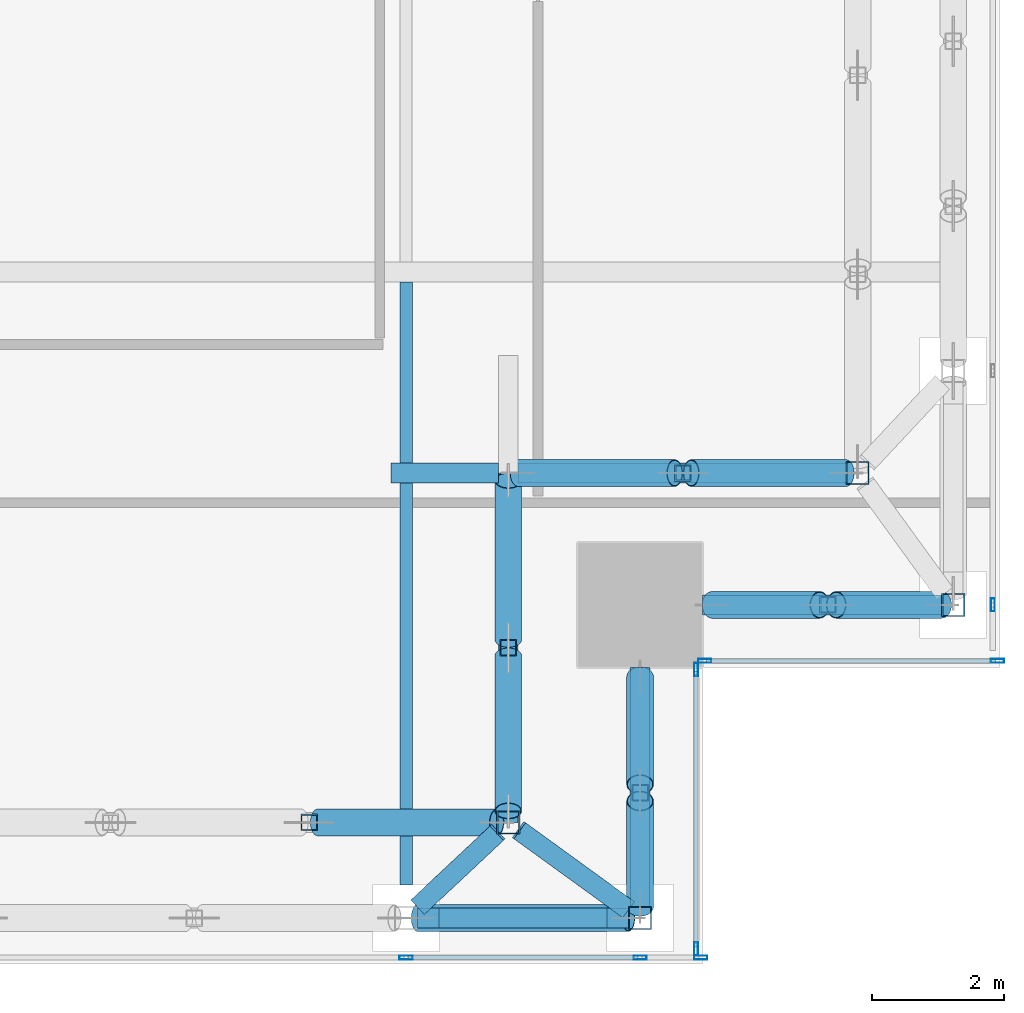
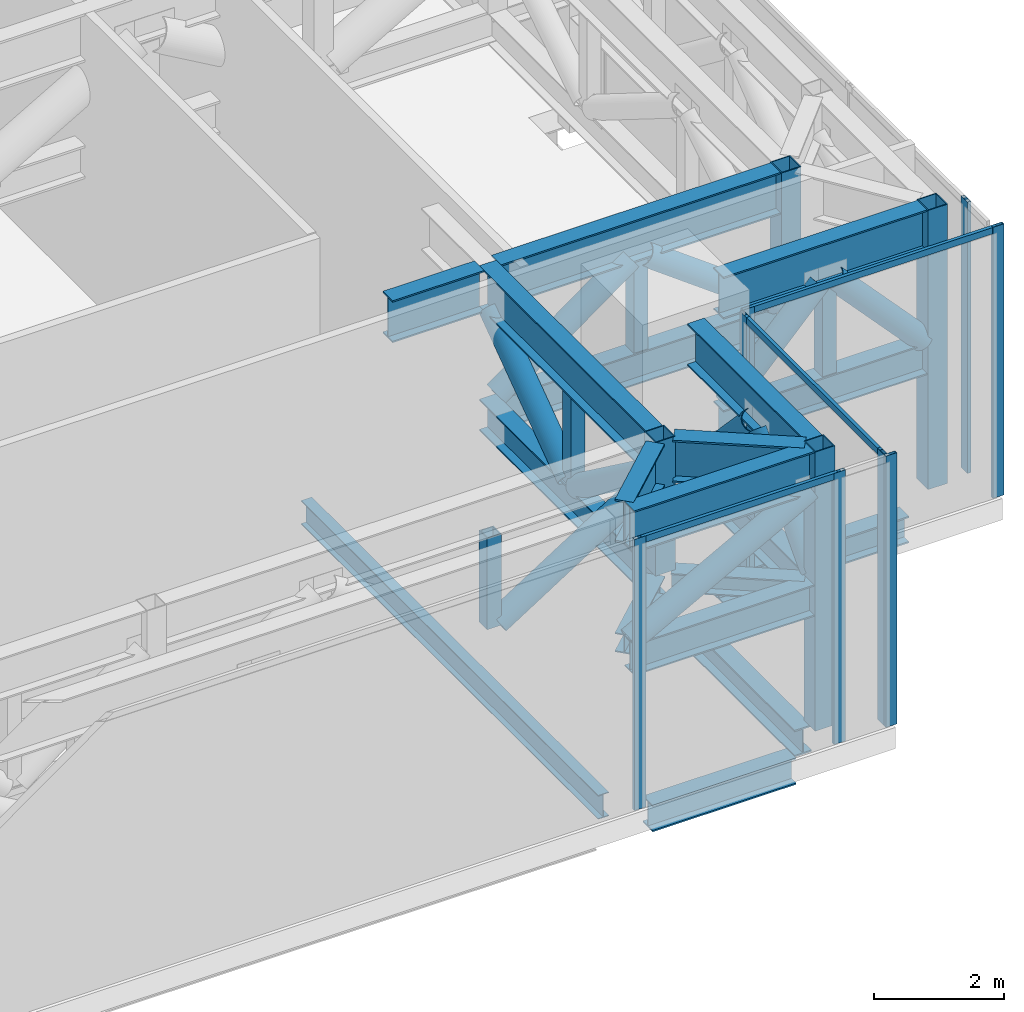
# One storey, part 10 of 36: 41 members, 8 beams, 4 elements without a shape of their own.
"""IFC4 building model written with IfcOpenShell, lengths in metres."""

from ifc_helpers import new_model, si_unit, direction, frame, origin, origin_2d, place, context, subcontext, project, spatial, hollow_rectangle, hollow_circle, i_section, extrude, source, transform, mapped, material, material_profile, profile_set, type_object, element, aggregate, save


model = new_model("IFC4")

# Units and contexts
model_context = context("Model", 3, precision=1e-05, world=origin(), true_north=direction((0.0, 1.0)))
body_context = subcontext(model_context, "Body", "Model", "MODEL_VIEW")
ifc_project = project(units=[si_unit("LENGTHUNIT", "METRE"), si_unit("AREAUNIT", "SQUARE_METRE"), si_unit("VOLUMEUNIT", "CUBIC_METRE"), si_unit("PLANEANGLEUNIT", "RADIAN"), si_unit("MASSUNIT", "GRAM", prefix="KILO")], contexts=[model_context])

# Site, building, storey
site_placement = place(None, origin())
site = spatial("IfcSite", under=ifc_project, at=site_placement, CompositionType="ELEMENT")
building_placement = place(site_placement, origin())
building = spatial("IfcBuilding", under=site, at=building_placement, Name="Khomas Fold Tower", CompositionType="ELEMENT")
storey_placement = place(building_placement, frame((0.0, 0.0, 216.699951171875)))
storey = spatial("IfcBuildingStorey", under=building, at=storey_placement, Name="L48", CompositionType="ELEMENT", Elevation=216.699951171875)

# Beams
ifc_material_1 = material(Name="Steel S355", Category="steel")
ifc_material_profile_1 = material_profile(ifc_material_1, i_section(OverallWidth=0.300048828125, OverallDepth=0.5, WebThickness=0.014404296875, FlangeThickness=0.028076171875, at=origin_2d()), Name="HE 500 B")
ifc_profile_set_1 = profile_set([ifc_material_profile_1], Name="Steel S355")
beam_type_1 = type_object("IfcBeamType", Name="HE 500 B spandrel SB3", PredefinedType="SPANDREL", material=ifc_profile_set_1)
shared_shape_1 = source(origin(), body_context, "Body", "SweptSolid", [
    extrude(i_section(OverallWidth=0.300048828125, OverallDepth=0.5, WebThickness=0.014404296875, FlangeThickness=0.028076171875, at=origin_2d()), origin(), (0.0, 0.0, 1.0), 2.550048828125),
])
beam_1_placement = place(storey_placement, frame((42.5, 3.699951171875, -0.64990234375), z_axis=(1.0, 0.0, 0.0), x_axis=(0.0, 1.0, 0.0)))
element("IfcBeam", 1, at=beam_1_placement, inside=storey, type_object=beam_type_1, Name="SB3", PredefinedType="SPANDREL", context=body_context, shape_type="MappedRepresentation", body=[
    mapped(shared_shape_1, transform((0.0, 0.0, 0.0))),
])
shared_shape_2 = source(origin(), body_context, "Body", "SweptSolid", [
    extrude(i_section(OverallWidth=0.300048828125, OverallDepth=0.5, WebThickness=0.014404296875, FlangeThickness=0.028076171875, at=origin_2d()), origin(), (0.0, 0.0, 1.0), 3.300048828125),
])
for number, where, z_axis, x_axis, name in (
    (2, (45.550048828125, 4.199951171875, -0.64990234375), (0.0, 1.0, 0.0), (-1.0, 0.0, 0.0), "SB3"),
    (3, (46.5, 8.449951171875, -0.64990234375), (1.0, 0.0, 0.0), (0.0, 1.0, 0.0), "SB3"),
):
    element("IfcBeam", number, at=place(storey_placement, frame(where, z_axis=z_axis, x_axis=x_axis)), inside=storey, type_object=beam_type_1, Name=name, PredefinedType="SPANDREL", context=body_context, shape_type="MappedRepresentation", body=[
        mapped(shared_shape_2, transform((0.0, 0.0, 0.0))),
    ])
ifc_material_2 = material(Name="Steel S355", Category="steel")
ifc_material_profile_2 = material_profile(ifc_material_2, i_section(OverallWidth=0.18994140625, OverallDepth=0.449951171875, WebThickness=0.009521484375, FlangeThickness=0.0146484375, at=origin_2d()), Name="IPE 450")
ifc_profile_set_2 = profile_set([ifc_material_profile_2], Name="Steel S355")
beam_type_2 = type_object("IfcBeamType", Name="IPE 450 beam JB4", PredefinedType="BEAM", material=ifc_profile_set_2)
shared_shape_3 = source(origin(), body_context, "Body", "SweptSolid", [
    extrude(i_section(OverallWidth=0.18994140625, OverallDepth=0.449951171875, WebThickness=0.009521484375, FlangeThickness=0.0146484375, at=origin_2d()), origin(), (0.0, 0.0, 1.0), 9.150146484375),
])
beam_2_placement = place(storey_placement, frame((42.0, 4.199951171875, -0.625), z_axis=(0.0, 1.0, 0.0), x_axis=(-1.0, 0.0, 0.0)))
element("IfcBeam", 4, at=beam_2_placement, inside=storey, type_object=beam_type_2, Name="JB4", PredefinedType="BEAM", context=body_context, shape_type="MappedRepresentation", body=[
    mapped(shared_shape_3, transform((0.0, 0.0, 0.0))),
])

# Members
ifc_material_3 = material(Name="Steel S355", Category="steel")
ifc_material_profile_3 = material_profile(ifc_material_3, i_section(OverallWidth=0.300048828125, OverallDepth=0.7900390625, WebThickness=0.014892578125, FlangeThickness=0.028076171875, at=origin_2d()), Name="HE 800 A")
ifc_profile_set_3 = profile_set([ifc_material_profile_3], Name="Steel S355")
member_type_1 = type_object("IfcMemberType", Name="BELT TRUSS 3 TOP CHORD SHORT HE 800 A", PredefinedType="CHORD", material=ifc_profile_set_3)
shared_shape_4 = source(origin(), body_context, "Body", "SweptSolid", [
    extrude(i_section(OverallWidth=0.300048828125, OverallDepth=0.7900390625, WebThickness=0.014892578125, FlangeThickness=0.028076171875, at=origin_2d()), origin(), (0.0, 0.0, 1.0), 3.199951171875),
])
member_1_placement = place(storey_placement, frame((42.175048828125, 3.699951171875, 4.85498046875), z_axis=(1.0, 0.0, 0.0), x_axis=(0.0, 1.0, 0.0)))
element("IfcMember", 5, at=member_1_placement, inside=storey, type_object=member_type_1, Name="BT3-CTS", PredefinedType="CHORD", context=body_context, shape_type="MappedRepresentation", body=[
    mapped(shared_shape_4, transform((0.0, 0.0, 0.0))),
])
ifc_material_4 = material(Name="Steel S355", Category="steel")
ifc_material_profile_4 = material_profile(ifc_material_4, i_section(OverallWidth=0.300048828125, OverallDepth=0.590087890625, WebThickness=0.012939453125, FlangeThickness=0.02490234375, at=origin_2d()), Name="HE 600 A")
ifc_profile_set_4 = profile_set([ifc_material_profile_4], Name="Steel S355")
member_type_2 = type_object("IfcMemberType", Name="BELT TRUSS 3 BOTTOM CHORD SHORT HE 600 A", PredefinedType="CHORD", material=ifc_profile_set_4)
shared_shape_5 = source(origin(), body_context, "Body", "SweptSolid", [
    extrude(i_section(OverallWidth=0.300048828125, OverallDepth=0.590087890625, WebThickness=0.012939453125, FlangeThickness=0.02490234375, at=origin_2d()), origin(), (0.0, 0.0, 1.0), 3.199951171875),
])
member_2_placement = place(storey_placement, frame((42.175048828125, 3.699951171875, 2.445068359375), z_axis=(1.0, 0.0, 0.0), x_axis=(0.0, 1.0, 0.0)))
element("IfcMember", 6, at=member_2_placement, inside=storey, type_object=member_type_2, Name="BT3-CBS", PredefinedType="CHORD", context=body_context, shape_type="MappedRepresentation", body=[
    mapped(shared_shape_5, transform((0.0, 0.0, 0.0))),
])
ifc_material_5 = material(Name="Steel S355", Category="steel")
ifc_material_profile_5 = material_profile(ifc_material_5, hollow_circle(Radius=0.203125, WallThickness=0.012451171875, at=origin_2d()), Name="CHS 406.4x12.5")
ifc_profile_set_5 = profile_set([ifc_material_profile_5], Name="Steel S355")
member_type_3 = type_object("IfcMemberType", Name="BELT TRUSS 3 DIAGONAL LONG CHS 406.4x12.5", PredefinedType="BRACE", material=ifc_profile_set_5)
shared_shape_6 = source(origin(), body_context, "Body", "SweptSolid", [
    extrude(hollow_circle(Radius=0.203125, WallThickness=0.012451171875, at=origin_2d()), origin(), (0.0, 0.0, 1.0), 3.6376953125),
])
member_3_placement = place(storey_placement, frame((42.175048828125, 3.699951171875, 2.735107421875), z_axis=(0.879674642469, 0.0, 0.475575991191), x_axis=(0.0, 1.0, 0.0)))
element("IfcMember", 7, at=member_3_placement, inside=storey, type_object=member_type_3, Name="BT3-DL", PredefinedType="BRACE", context=body_context, shape_type="MappedRepresentation", body=[
    mapped(shared_shape_6, transform((0.0, 0.0, 0.0))),
])
ifc_material_6 = material(Name="Steel S355", Category="steel")
ifc_material_profile_6 = material_profile(ifc_material_6, hollow_rectangle(XDim=0.25, YDim=0.25, WallThickness=0.01611328125, at=origin_2d()), Name="SHS 250x250x16")
ifc_profile_set_6 = profile_set([ifc_material_profile_6], Name="Steel S355")
member_type_4 = type_object("IfcMemberType", Name="BELT TRUSS 3 MID POST SHS 250x250x16", PredefinedType="POST", material=ifc_profile_set_6)
shared_shape_7 = source(origin(), body_context, "Body", "SweptSolid", [
    extrude(hollow_rectangle(XDim=0.25, YDim=0.25, WallThickness=0.01611328125, at=origin_2d()), origin(), (0.0, 0.0, 1.0), 1.719970703125),
])
for number, where, z_axis, x_axis, name in (
    (8, (45.550048828125, 5.60009765625, 2.739990234375), (0.0, 0.0, 1.0), (1.0, 0.0, 0.0), "BT3-M"),
    (9, (48.39990234375, 8.449951171875, 2.739990234375), (0.0, 0.0, 1.0), (1.0, 0.0, 0.0), "BT3-M"),
    (10, (40.533447265625, 5.14990234375, 2.739990234375), (0.0, 0.0, 1.0), (1.0, 0.0, 0.0), "BT3-M"),
    (11, (43.550048828125, 7.800048828125, 2.739990234375), (0.0, 0.0, 1.0), (1.0, 0.0, 0.0), "BT3-M"),
    (12, (46.199951171875, 10.449951171875, 2.739990234375), (0.0, 0.0, 1.0), (1.0, 0.0, 0.0), "BT3-M"),
):
    element("IfcMember", number, at=place(storey_placement, frame(where, z_axis=z_axis, x_axis=x_axis)), inside=storey, type_object=member_type_4, Name=name, PredefinedType="POST", context=body_context, shape_type="MappedRepresentation", body=[
        mapped(shared_shape_7, transform((0.0, 0.0, 0.0))),
    ])
shared_shape_8 = source(origin(), body_context, "Body", "SweptSolid", [
    extrude(i_section(OverallWidth=0.300048828125, OverallDepth=0.7900390625, WebThickness=0.014892578125, FlangeThickness=0.028076171875, at=origin_2d()), origin(), (0.0, 0.0, 1.0), 3.625),
])
for number, where, z_axis, x_axis, name in (
    (13, (45.550048828125, 3.875, 4.85498046875), (0.0, 1.0, 0.0), (-1.0, 0.0, 0.0), "BT3-CTS"),
    (14, (50.125, 8.449951171875, 4.85498046875), (-1.0, 0.0, 0.0), (0.0, -1.0, 0.0), "BT3-CTS"),
):
    element("IfcMember", number, at=place(storey_placement, frame(where, z_axis=z_axis, x_axis=x_axis)), inside=storey, type_object=member_type_1, Name=name, PredefinedType="CHORD", context=body_context, shape_type="MappedRepresentation", body=[
        mapped(shared_shape_8, transform((0.0, 0.0, 0.0))),
    ])
shared_shape_9 = source(origin(), body_context, "Body", "SweptSolid", [
    extrude(i_section(OverallWidth=0.300048828125, OverallDepth=0.590087890625, WebThickness=0.012939453125, FlangeThickness=0.02490234375, at=origin_2d()), origin(), (0.0, 0.0, 1.0), 3.625),
])
for number, where, z_axis, x_axis, name in (
    (15, (45.550048828125, 3.875, 2.445068359375), (0.0, 1.0, 0.0), (-1.0, 0.0, 0.0), "BT3-CBS"),
    (16, (50.125, 8.449951171875, 2.445068359375), (-1.0, 0.0, 0.0), (0.0, -1.0, 0.0), "BT3-CBS"),
):
    element("IfcMember", number, at=place(storey_placement, frame(where, z_axis=z_axis, x_axis=x_axis)), inside=storey, type_object=member_type_2, Name=name, PredefinedType="CHORD", context=body_context, shape_type="MappedRepresentation", body=[
        mapped(shared_shape_9, transform((0.0, 0.0, 0.0))),
    ])
ifc_material_7 = material(Name="Steel S355", Category="steel")
ifc_material_profile_7 = material_profile(ifc_material_7, hollow_circle(Radius=0.203125, WallThickness=0.012451171875, at=origin_2d()), Name="CHS 406.4x12.5")
ifc_profile_set_7 = profile_set([ifc_material_profile_7], Name="Steel S355")
member_type_5 = type_object("IfcMemberType", Name="BELT TRUSS 3 DIAGONAL CHS 406.4x12.5", PredefinedType="BRACE", material=ifc_profile_set_7)
shared_shape_10 = source(origin(), body_context, "Body", "SweptSolid", [
    extrude(hollow_circle(Radius=0.203125, WallThickness=0.012451171875, at=origin_2d()), origin(), (0.0, 0.0, 1.0), 2.3564453125),
])
for number, where, z_axis, x_axis, name in (
    (17, (45.550048828125, 3.875, 2.735107421875), (0.0, 0.679011273625, 0.734127843288), (-1.0, 0.0, 0.0), "BT3-D"),
    (18, (50.125, 8.449951171875, 2.735107421875), (-0.679011273625, 0.0, 0.734127843288), (0.0, -1.0, 0.0), "BT3-D"),
):
    element("IfcMember", number, at=place(storey_placement, frame(where, z_axis=z_axis, x_axis=x_axis)), inside=storey, type_object=member_type_5, Name=name, PredefinedType="BRACE", context=body_context, shape_type="MappedRepresentation", body=[
        mapped(shared_shape_10, transform((0.0, 0.0, 0.0))),
    ])
shared_shape_11 = source(origin(), body_context, "Body", "SweptSolid", [
    extrude(hollow_circle(Radius=0.203125, WallThickness=0.012451171875, at=origin_2d()), origin(), (0.0, 0.0, 1.0), 2.37939453125),
])
for number, where, z_axis, x_axis, name in (
    (19, (45.550048828125, 5.72509765625, 4.465087890625), (0.0, 0.686551218431, -0.727081442804), (-1.0, 0.0, 0.0), "BT3-D"),
    (20, (48.27490234375, 8.449951171875, 4.465087890625), (-0.686551218431, 0.0, -0.727081442804), (0.0, -1.0, 0.0), "BT3-D"),
):
    element("IfcMember", number, at=place(storey_placement, frame(where, z_axis=z_axis, x_axis=x_axis)), inside=storey, type_object=member_type_5, Name=name, PredefinedType="BRACE", context=body_context, shape_type="MappedRepresentation", body=[
        mapped(shared_shape_11, transform((0.0, 0.0, 0.0))),
    ])
shared_shape_12 = source(origin(), body_context, "Body", "SweptSolid", [
    extrude(hollow_circle(Radius=0.203125, WallThickness=0.012451171875, at=origin_2d()), origin(), (0.0, 0.0, 1.0), 3.220703125),
])
member_4_placement = place(storey_placement, frame((40.658447265625, 5.14990234375, 2.735107421875), z_axis=(0.843483522339, 0.0, 0.537155049815), x_axis=(0.0, 1.0, 0.0)))
element("IfcMember", 21, at=member_4_placement, inside=storey, type_object=member_type_5, Name="BT3-D", PredefinedType="BRACE", context=body_context, shape_type="MappedRepresentation", body=[
    mapped(shared_shape_12, transform((0.0, 0.0, 0.0))),
])
ifc_material_8 = material(Name="Steel S355", Category="steel")
ifc_material_profile_8 = material_profile(ifc_material_8, i_section(OverallWidth=0.300048828125, OverallDepth=0.7900390625, WebThickness=0.014892578125, FlangeThickness=0.028076171875, at=origin_2d()), Name="HE 800 A")
ifc_profile_set_8 = profile_set([ifc_material_profile_8], Name="Steel S355")
member_type_6 = type_object("IfcMemberType", Name="BELT TRUSS 3 TOP CHORD HE 800 A", PredefinedType="CHORD", material=ifc_profile_set_8)
shared_shape_13 = source(origin(), body_context, "Body", "SweptSolid", [
    extrude(i_section(OverallWidth=0.300048828125, OverallDepth=0.7900390625, WebThickness=0.014892578125, FlangeThickness=0.028076171875, at=origin_2d()), origin(), (0.0, 0.0, 1.0), 5.125),
])
member_5_placement = place(storey_placement, frame((43.550048828125, 5.324951171875, 4.85498046875), z_axis=(0.0, 1.0, 0.0), x_axis=(-1.0, 0.0, 0.0)))
element("IfcMember", 22, at=member_5_placement, inside=storey, type_object=member_type_6, Name="BT3-CT", PredefinedType="CHORD", context=body_context, shape_type="MappedRepresentation", body=[
    mapped(shared_shape_13, transform((0.0, 0.0, 0.0))),
])
ifc_material_9 = material(Name="Steel S355", Category="steel")
ifc_material_profile_9 = material_profile(ifc_material_9, i_section(OverallWidth=0.300048828125, OverallDepth=0.590087890625, WebThickness=0.012939453125, FlangeThickness=0.02490234375, at=origin_2d()), Name="HE 600 A")
ifc_profile_set_9 = profile_set([ifc_material_profile_9], Name="Steel S355")
member_type_7 = type_object("IfcMemberType", Name="BELT TRUSS 3 BOTTOM CHORD HE 600 A", PredefinedType="CHORD", material=ifc_profile_set_9)
shared_shape_14 = source(origin(), body_context, "Body", "SweptSolid", [
    extrude(i_section(OverallWidth=0.300048828125, OverallDepth=0.590087890625, WebThickness=0.012939453125, FlangeThickness=0.02490234375, at=origin_2d()), origin(), (0.0, 0.0, 1.0), 5.300048828125),
])
member_6_placement = place(storey_placement, frame((43.550048828125, 5.14990234375, 2.445068359375), z_axis=(0.0, 1.0, 0.0), x_axis=(-1.0, 0.0, 0.0)))
element("IfcMember", 23, at=member_6_placement, inside=storey, type_object=member_type_7, Name="BT3-CB", PredefinedType="CHORD", context=body_context, shape_type="MappedRepresentation", body=[
    mapped(shared_shape_14, transform((0.0, 0.0, 0.0))),
])
shared_shape_15 = source(origin(), body_context, "Body", "SweptSolid", [
    extrude(hollow_circle(Radius=0.203125, WallThickness=0.012451171875, at=origin_2d()), origin(), (0.0, 0.0, 1.0), 2.918212890625),
])
for number, where, z_axis, x_axis, name in (
    (24, (43.550048828125, 5.324951171875, 4.465087890625), (0.0, 0.805329117391, -0.592827978998), (-1.0, 0.0, 0.0), "BT3-D"),
    (25, (48.675048828125, 10.449951171875, 2.735107421875), (-0.805329117391, 0.0, 0.592827978998), (0.0, -1.0, 0.0), "BT3-D"),
):
    element("IfcMember", number, at=place(storey_placement, frame(where, z_axis=z_axis, x_axis=x_axis)), inside=storey, type_object=member_type_5, Name=name, PredefinedType="BRACE", context=body_context, shape_type="MappedRepresentation", body=[
        mapped(shared_shape_15, transform((0.0, 0.0, 0.0))),
    ])
shared_shape_16 = source(origin(), body_context, "Body", "SweptSolid", [
    extrude(hollow_circle(Radius=0.203125, WallThickness=0.012451171875, at=origin_2d()), origin(), (0.0, 0.0, 1.0), 2.967041015625),
])
member_7_placement = place(storey_placement, frame((43.550048828125, 7.925048828125, 2.735107421875), z_axis=(0.0, 0.812441658895, 0.583042494929), x_axis=(-1.0, 0.0, 0.0)))
element("IfcMember", 26, at=member_7_placement, inside=storey, type_object=member_type_5, Name="BT3-D", PredefinedType="BRACE", context=body_context, shape_type="MappedRepresentation", body=[
    mapped(shared_shape_16, transform((0.0, 0.0, 0.0))),
])
shared_shape_17 = source(origin(), body_context, "Body", "SweptSolid", [
    extrude(i_section(OverallWidth=0.300048828125, OverallDepth=0.7900390625, WebThickness=0.014892578125, FlangeThickness=0.028076171875, at=origin_2d()), origin(), (0.0, 0.0, 1.0), 4.97509765625),
])
member_8_placement = place(storey_placement, frame((48.675048828125, 10.449951171875, 4.85498046875), z_axis=(-1.0, 0.0, 0.0), x_axis=(0.0, -1.0, 0.0)))
element("IfcMember", 27, at=member_8_placement, inside=storey, type_object=member_type_6, Name="BT3-CT", PredefinedType="CHORD", context=body_context, shape_type="MappedRepresentation", body=[
    mapped(shared_shape_17, transform((0.0, 0.0, 0.0))),
])
shared_shape_18 = source(origin(), body_context, "Body", "SweptSolid", [
    extrude(i_section(OverallWidth=0.300048828125, OverallDepth=0.590087890625, WebThickness=0.012939453125, FlangeThickness=0.02490234375, at=origin_2d()), origin(), (0.0, 0.0, 1.0), 5.0),
])
member_9_placement = place(storey_placement, frame((48.699951171875, 10.449951171875, 2.445068359375), z_axis=(-1.0, 0.0, 0.0), x_axis=(0.0, -1.0, 0.0)))
element("IfcMember", 28, at=member_9_placement, inside=storey, type_object=member_type_7, Name="BT3-CB", PredefinedType="CHORD", context=body_context, shape_type="MappedRepresentation", body=[
    mapped(shared_shape_18, transform((0.0, 0.0, 0.0))),
])
shared_shape_19 = source(origin(), body_context, "Body", "SweptSolid", [
    extrude(hollow_circle(Radius=0.203125, WallThickness=0.012451171875, at=origin_2d()), origin(), (0.0, 0.0, 1.0), 2.938232421875),
])
member_10_placement = place(storey_placement, frame((46.074951171875, 10.449951171875, 4.465087890625), z_axis=(-0.808297504899, 0.0, -0.588774272174), x_axis=(0.0, -1.0, 0.0)))
element("IfcMember", 29, at=member_10_placement, inside=storey, type_object=member_type_5, Name="BT3-D", PredefinedType="BRACE", context=body_context, shape_type="MappedRepresentation", body=[
    mapped(shared_shape_19, transform((0.0, 0.0, 0.0))),
])
ifc_material_10 = material(Name="Steel S355", Category="steel")
ifc_material_profile_10 = material_profile(ifc_material_10, i_section(OverallWidth=0.300048828125, OverallDepth=0.7900390625, WebThickness=0.014892578125, FlangeThickness=0.028076171875, at=origin_2d()), Name="HE 800 A")
ifc_profile_set_10 = profile_set([ifc_material_profile_10], Name="Steel S355")
member_type_8 = type_object("IfcMemberType", Name="BELT TRUSS 3 TOP CHORD SHORTER HE 800 A", PredefinedType="CHORD", material=ifc_profile_set_10)
shared_shape_20 = source(origin(), body_context, "Body", "SweptSolid", [
    extrude(i_section(OverallWidth=0.300048828125, OverallDepth=0.7900390625, WebThickness=0.014892578125, FlangeThickness=0.028076171875, at=origin_2d()), origin(), (0.0, 0.0, 1.0), 1.6298828125),
])
member_11_placement = place(storey_placement, frame((43.39990234375, 10.449951171875, 4.85498046875), z_axis=(-1.0, 0.0, 0.0), x_axis=(0.0, -1.0, 0.0)))
element("IfcMember", 30, at=member_11_placement, inside=storey, type_object=member_type_8, Name="BT3-CTSS", PredefinedType="CHORD", context=body_context, shape_type="MappedRepresentation", body=[
    mapped(shared_shape_20, transform((0.0, 0.0, 0.0))),
])
ifc_material_11 = material(Name="Steel S355", Category="steel")
ifc_material_profile_11 = material_profile(ifc_material_11, hollow_rectangle(XDim=0.35009765625, YDim=0.35009765625, WallThickness=0.01611328125, at=origin_2d()), Name="SHS 350x350x16")
ifc_profile_set_11 = profile_set([ifc_material_profile_11], Name="Steel S355")
member_type_9 = type_object("IfcMemberType", Name="BELT TRUSS 3 COLUMN POST SHS 350x350x16", PredefinedType="POST", material=ifc_profile_set_11)
shared_shape_21 = source(origin(), body_context, "Body", "SweptSolid", [
    extrude(hollow_rectangle(XDim=0.35009765625, YDim=0.35009765625, WallThickness=0.01611328125, at=origin_2d()), origin(), (0.0, 0.0, 1.0), 5.25),
])
for number, where, z_axis, x_axis, name in (
    (31, (45.550048828125, 3.699951171875, 0.0), (0.0, 0.0, 1.0), (1.0, 0.0, 0.0), "BT3-P"),
    (32, (50.300048828125, 8.449951171875, 0.0), (0.0, 0.0, 1.0), (1.0, 0.0, 0.0), "BT3-P"),
):
    element("IfcMember", number, at=place(storey_placement, frame(where, z_axis=z_axis, x_axis=x_axis)), inside=storey, type_object=member_type_9, Name=name, PredefinedType="POST", context=body_context, shape_type="MappedRepresentation", body=[
        mapped(shared_shape_21, transform((0.0, 0.0, 0.0))),
    ])
ifc_material_12 = material(Name="Steel S355", Category="steel")
ifc_material_profile_12 = material_profile(ifc_material_12, hollow_rectangle(XDim=0.35009765625, YDim=0.35009765625, WallThickness=0.01611328125, at=origin_2d()), Name="SHS 350x350x16")
ifc_profile_set_12 = profile_set([ifc_material_profile_12], Name="Steel S355")
member_type_10 = type_object("IfcMemberType", Name="BELT TRUSS 3 COLUMN POST SHORT SHS 350x350x16", PredefinedType="POST", material=ifc_profile_set_12)
shared_shape_22 = source(origin(), body_context, "Body", "SweptSolid", [
    extrude(hollow_rectangle(XDim=0.35009765625, YDim=0.35009765625, WallThickness=0.01611328125, at=origin_2d()), origin(), (0.0, 0.0, 1.0), 2.510009765625),
])
for number, where, z_axis, x_axis, name in (
    (33, (43.550048828125, 5.14990234375, 2.739990234375), (0.0, 0.0, 1.0), (1.0, 0.0, 0.0), "BT3-PS"),
    (34, (48.85009765625, 10.449951171875, 2.739990234375), (0.0, 0.0, 1.0), (1.0, 0.0, 0.0), "BT3-PS"),
):
    element("IfcMember", number, at=place(storey_placement, frame(where, z_axis=z_axis, x_axis=x_axis)), inside=storey, type_object=member_type_10, Name=name, PredefinedType="POST", context=body_context, shape_type="MappedRepresentation", body=[
        mapped(shared_shape_22, transform((0.0, 0.0, 0.0))),
    ])

# Beams
ifc_material_13 = material(Name="Steel S460M", Category="steel")
ifc_material_profile_13 = material_profile(ifc_material_13, i_section(OverallWidth=0.300048828125, OverallDepth=0.800048828125, WebThickness=0.017578125, FlangeThickness=0.032958984375, at=origin_2d()), Name="HE 800 B")
ifc_profile_set_13 = profile_set([ifc_material_profile_13], Name="Steel S460M")
beam_type_3 = type_object("IfcBeamType", Name="BELT TRUSS 3 TOP TRANSFER STRUT HE 800 B", PredefinedType="BEAM", material=ifc_profile_set_13)
shared_shape_23 = source(origin(), body_context, "Body", "SweptSolid", [
    extrude(i_section(OverallWidth=0.300048828125, OverallDepth=0.800048828125, WebThickness=0.017578125, FlangeThickness=0.032958984375, at=origin_2d()), origin(), (0.0, 0.0, 1.0), 1.64306640625),
])
beam_3_placement = place(storey_placement, frame((43.375, 4.986328125, 4.85009765625), z_axis=(-0.730264240146, -0.683164796783, 0.0), x_axis=(0.683164796783, -0.730264240146, 0.0)))
element("IfcBeam", 35, at=beam_3_placement, inside=storey, type_object=beam_type_3, Name="BT3-STD", PredefinedType="BEAM", context=body_context, shape_type="MappedRepresentation", body=[
    mapped(shared_shape_23, transform((0.0, 0.0, 0.0))),
])
ifc_material_14 = material(Name="Steel S355", Category="steel")
ifc_material_profile_14 = material_profile(ifc_material_14, i_section(OverallWidth=0.300048828125, OverallDepth=0.360107421875, WebThickness=0.012451171875, FlangeThickness=0.0224609375, at=origin_2d()), Name="HE 360 B")
ifc_profile_set_14 = profile_set([ifc_material_profile_14], Name="Steel S355")
beam_type_4 = type_object("IfcBeamType", Name="BELT TRUSS 3 BOTTOM STRUT HE 360 B", PredefinedType="BEAM", material=ifc_profile_set_14)
shared_shape_24 = source(origin(), body_context, "Body", "SweptSolid", [
    extrude(i_section(OverallWidth=0.300048828125, OverallDepth=0.360107421875, WebThickness=0.012451171875, FlangeThickness=0.0224609375, at=origin_2d()), origin(), (0.0, 0.0, 1.0), 1.677490234375),
])
beam_4_placement = place(storey_placement, frame((43.39990234375, 5.009765625, 2.56005859375), z_axis=(-0.730222222008, -0.68320970901, 0.0), x_axis=(0.68320970901, -0.730222222008, 0.0)))
element("IfcBeam", 36, at=beam_4_placement, inside=storey, type_object=beam_type_4, Name="BT3-SB", PredefinedType="BEAM", context=body_context, shape_type="MappedRepresentation", body=[
    mapped(shared_shape_24, transform((0.0, 0.0, 0.0))),
])
shared_shape_25 = source(origin(), body_context, "Body", "SweptSolid", [
    extrude(i_section(OverallWidth=0.300048828125, OverallDepth=0.800048828125, WebThickness=0.017578125, FlangeThickness=0.032958984375, at=origin_2d()), origin(), (0.0, 0.0, 1.0), 2.037841796875),
])
beam_5_placement = place(storey_placement, frame((43.72509765625, 5.023193359375, 4.85009765625), z_axis=(0.809584824525, -0.58700290621, 0.0), x_axis=(0.58700290621, 0.809584824525, 0.0)))
element("IfcBeam", 37, at=beam_5_placement, inside=storey, type_object=beam_type_3, Name="BT3-STD", PredefinedType="BEAM", context=body_context, shape_type="MappedRepresentation", body=[
    mapped(shared_shape_25, transform((0.0, 0.0, 0.0))),
])
ifc_material_15 = material(Name="Steel S355", Category="steel")
ifc_material_profile_15 = material_profile(ifc_material_15, i_section(OverallWidth=0.300048828125, OverallDepth=0.360107421875, WebThickness=0.012451171875, FlangeThickness=0.0224609375, at=origin_2d()), Name="HE 360 B")
ifc_profile_set_15 = profile_set([ifc_material_profile_15], Name="Steel S355")
beam_type_5 = type_object("IfcBeamType", Name="BELT TRUSS 3 BOTTOM STRUT LONG HE 360 B", PredefinedType="BEAM", material=ifc_profile_set_15)
shared_shape_26 = source(origin(), body_context, "Body", "SweptSolid", [
    extrude(i_section(OverallWidth=0.300048828125, OverallDepth=0.360107421875, WebThickness=0.012451171875, FlangeThickness=0.0224609375, at=origin_2d()), origin(), (0.0, 0.0, 1.0), 2.06884765625),
])
beam_6_placement = place(storey_placement, frame((43.699951171875, 5.041259765625, 2.56005859375), z_axis=(0.809623060558, -0.586950168083, 0.0), x_axis=(0.586950168083, 0.809623060558, 0.0)))
element("IfcBeam", 38, at=beam_6_placement, inside=storey, type_object=beam_type_5, Name="BT3-SBL", PredefinedType="BEAM", context=body_context, shape_type="MappedRepresentation", body=[
    mapped(shared_shape_26, transform((0.0, 0.0, 0.0))),
])

# Curtain wall, members
ifc_material_16 = material(Name="Aluminium framed double glazing", Category="aluminium")
curtain_wall_type = type_object("IfcCurtainWallType", Name="SK-Plant louvre wall CW4", PredefinedType="NOTDEFINED", material=ifc_material_16)
curtain_wall_1_placement = place(storey_placement, origin())
curtain_wall_1 = element("IfcCurtainWall", 39, at=curtain_wall_1_placement, inside=storey, type_object=curtain_wall_type, Name="CW4 run L48 00-0", PredefinedType="NOTDEFINED")
ifc_material_17 = material(Name="Aluminium", Category="aluminium")
ifc_material_profile_16 = material_profile(ifc_material_17, hollow_rectangle(XDim=0.06005859375, YDim=0.199951171875, WallThickness=0.00390625, at=origin_2d()), Name="SK-Plant louvre wall mullion CW4-M")
ifc_profile_set_16 = profile_set([ifc_material_profile_16], Name="Aluminium")
member_type_11 = type_object("IfcMemberType", Name="SK-Plant louvre wall mullion CW4-M", PredefinedType="MULLION", material=ifc_profile_set_16)
shared_shape_27 = source(origin(), body_context, "Body", "SweptSolid", [
    extrude(hollow_rectangle(XDim=0.06005859375, YDim=0.199951171875, WallThickness=0.00390625, at=origin_2d()), origin(), (0.0, 0.0, 1.0), 5.10009765625),
])
member_12_placement = place(storey_placement, frame((42.0, 3.10009765625, 0.0), z_axis=(0.0, 0.0, 1.0), x_axis=(0.0, 1.0, 0.0)))
member_12 = element("IfcMember", 40, at=member_12_placement, type_object=member_type_11, Name="CW4 mullion 5", PredefinedType="MULLION", context=body_context, shape_type="MappedRepresentation", body=[
    mapped(shared_shape_27, transform((0.0, 0.0, 0.0))),
])
member_13_placement = place(storey_placement, frame((45.550048828125, 3.10009765625, 0.0), z_axis=(0.0, 0.0, 1.0), x_axis=(0.0, 1.0, 0.0)))
member_13 = element("IfcMember", 41, at=member_13_placement, type_object=member_type_11, Name="CW4 mullion 6", PredefinedType="MULLION", context=body_context, shape_type="MappedRepresentation", body=[
    mapped(shared_shape_27, transform((0.0, 0.0, 0.0))),
])
member_14_placement = place(storey_placement, frame((46.469970703125, 3.10009765625, 0.0), z_axis=(0.0, 0.0, 1.0), x_axis=(0.0, 1.0, 0.0)))
member_14 = element("IfcMember", 42, at=member_14_placement, type_object=member_type_11, Name="CW4 mullion 7", PredefinedType="MULLION", context=body_context, shape_type="MappedRepresentation", body=[
    mapped(shared_shape_27, transform((0.0, 0.0, 0.0))),
])

curtain_wall_2_placement = place(storey_placement, origin())
curtain_wall_2 = element("IfcCurtainWall", 43, at=curtain_wall_2_placement, inside=storey, type_object=curtain_wall_type, Name="CW4 corner return L48 01", PredefinedType="NOTDEFINED")
member_15_placement = place(storey_placement, frame((46.39990234375, 3.22998046875, 0.0), z_axis=(0.0, 0.0, 1.0), x_axis=(-1.0, 0.0, 0.0)))
member_15 = element("IfcMember", 44, at=member_15_placement, type_object=member_type_11, Name="CW4 mullion 1", PredefinedType="MULLION", context=body_context, shape_type="MappedRepresentation", body=[
    mapped(shared_shape_27, transform((0.0, 0.0, 0.0))),
])
member_16_placement = place(storey_placement, frame((46.39990234375, 7.469970703125, 0.0), z_axis=(0.0, 0.0, 1.0), x_axis=(-1.0, 0.0, 0.0)))
member_16 = element("IfcMember", 45, at=member_16_placement, type_object=member_type_11, Name="CW4 mullion 2", PredefinedType="MULLION", context=body_context, shape_type="MappedRepresentation", body=[
    mapped(shared_shape_27, transform((0.0, 0.0, 0.0))),
])

curtain_wall_3_placement = place(storey_placement, origin())
curtain_wall_3 = element("IfcCurtainWall", 46, at=curtain_wall_3_placement, inside=storey, type_object=curtain_wall_type, Name="CW4 corner return L48 02", PredefinedType="NOTDEFINED")
member_17_placement = place(storey_placement, frame((46.530029296875, 7.60009765625, 0.0), z_axis=(0.0, 0.0, 1.0), x_axis=(0.0, 1.0, 0.0)))
member_17 = element("IfcMember", 47, at=member_17_placement, type_object=member_type_11, Name="CW4 mullion 1", PredefinedType="MULLION", context=body_context, shape_type="MappedRepresentation", body=[
    mapped(shared_shape_27, transform((0.0, 0.0, 0.0))),
])
member_18_placement = place(storey_placement, frame((50.969970703125, 7.60009765625, 0.0), z_axis=(0.0, 0.0, 1.0), x_axis=(0.0, 1.0, 0.0)))
member_18 = element("IfcMember", 48, at=member_18_placement, type_object=member_type_11, Name="CW4 mullion 2", PredefinedType="MULLION", context=body_context, shape_type="MappedRepresentation", body=[
    mapped(shared_shape_27, transform((0.0, 0.0, 0.0))),
])

# Curtain wall, member
curtain_wall_4_placement = place(storey_placement, origin())
curtain_wall_4 = element("IfcCurtainWall", 49, at=curtain_wall_4_placement, inside=storey, type_object=curtain_wall_type, Name="CW4 run L48 03-0", PredefinedType="NOTDEFINED")
member_19_placement = place(storey_placement, frame((50.89990234375, 8.449951171875, 0.0), z_axis=(0.0, 0.0, 1.0), x_axis=(-1.0, 0.0, 0.0)))
member_19 = element("IfcMember", 50, at=member_19_placement, type_object=member_type_11, Name="CW4 mullion 2", PredefinedType="MULLION", context=body_context, shape_type="MappedRepresentation", body=[
    mapped(shared_shape_27, transform((0.0, 0.0, 0.0))),
])
aggregate(curtain_wall_4, [member_19])

# Member
ifc_material_18 = material(Name="Aluminium", Category="aluminium")
ifc_material_profile_17 = material_profile(ifc_material_18, hollow_rectangle(XDim=0.06005859375, YDim=0.1201171875, WallThickness=0.00390625, at=origin_2d()), Name="SK-Plant louvre wall transom CW4-T")
ifc_profile_set_17 = profile_set([ifc_material_profile_17], Name="Aluminium")
member_type_12 = type_object("IfcMemberType", Name="SK-Plant louvre wall transom CW4-T", PredefinedType="USERDEFINED", material=ifc_profile_set_17)
shared_shape_28 = source(origin(), body_context, "Body", "SweptSolid", [
    extrude(hollow_rectangle(XDim=0.06005859375, YDim=0.1201171875, WallThickness=0.00390625, at=origin_2d()), origin(), (0.0, 0.0, 1.0), 3.489990234375),
])
member_20_placement = place(storey_placement, frame((42.030029296875, 3.10009765625, 5.0400390625), z_axis=(1.0, 0.0, 0.0), x_axis=(0.0, 1.0, 0.0)))
member_20 = element("IfcMember", 51, at=member_20_placement, type_object=member_type_12, Name="CW4 transom 5", ObjectType="TRANSOM", PredefinedType="USERDEFINED", context=body_context, shape_type="MappedRepresentation", body=[
    mapped(shared_shape_28, transform((0.0, 0.0, 0.0))),
])

aggregate(curtain_wall_1, [member_12, member_13, member_14, member_20])

shared_shape_29 = source(origin(), body_context, "Body", "SweptSolid", [
    extrude(hollow_rectangle(XDim=0.06005859375, YDim=0.1201171875, WallThickness=0.00390625, at=origin_2d()), origin(), (0.0, 0.0, 1.0), 4.179931640625),
])
member_21_placement = place(storey_placement, frame((46.39990234375, 3.260009765625, 5.0400390625), z_axis=(0.0, 1.0, 0.0), x_axis=(-1.0, 0.0, 0.0)))
member_21 = element("IfcMember", 52, at=member_21_placement, type_object=member_type_12, Name="CW4 transom 1", ObjectType="TRANSOM", PredefinedType="USERDEFINED", context=body_context, shape_type="MappedRepresentation", body=[
    mapped(shared_shape_29, transform((0.0, 0.0, 0.0))),
])

aggregate(curtain_wall_2, [member_15, member_16, member_21])

shared_shape_30 = source(origin(), body_context, "Body", "SweptSolid", [
    extrude(hollow_rectangle(XDim=0.06005859375, YDim=0.1201171875, WallThickness=0.00390625, at=origin_2d()), origin(), (0.0, 0.0, 1.0), 4.3798828125),
])
member_22_placement = place(storey_placement, frame((46.56005859375, 7.60009765625, 5.0400390625), z_axis=(1.0, 0.0, 0.0), x_axis=(0.0, 1.0, 0.0)))
member_22 = element("IfcMember", 53, at=member_22_placement, type_object=member_type_12, Name="CW4 transom 1", ObjectType="TRANSOM", PredefinedType="USERDEFINED", context=body_context, shape_type="MappedRepresentation", body=[
    mapped(shared_shape_30, transform((0.0, 0.0, 0.0))),
])

aggregate(curtain_wall_3, [member_17, member_18, member_22])

save(model, "model.ifc")
